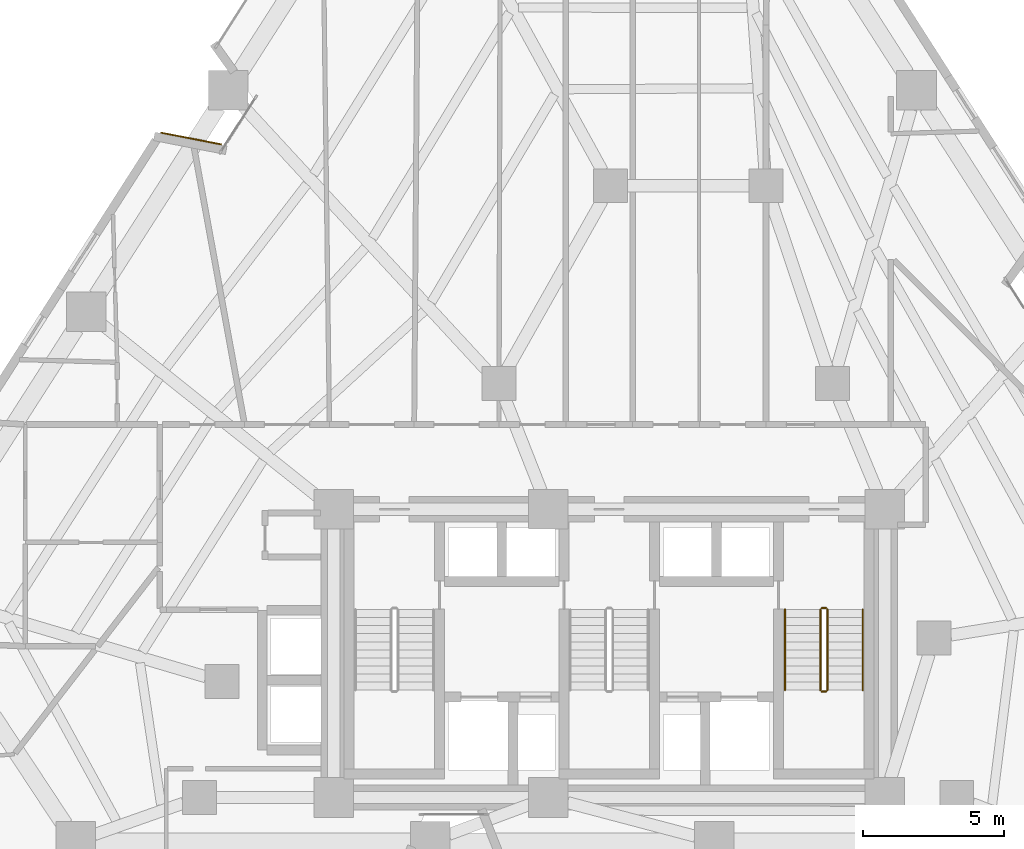
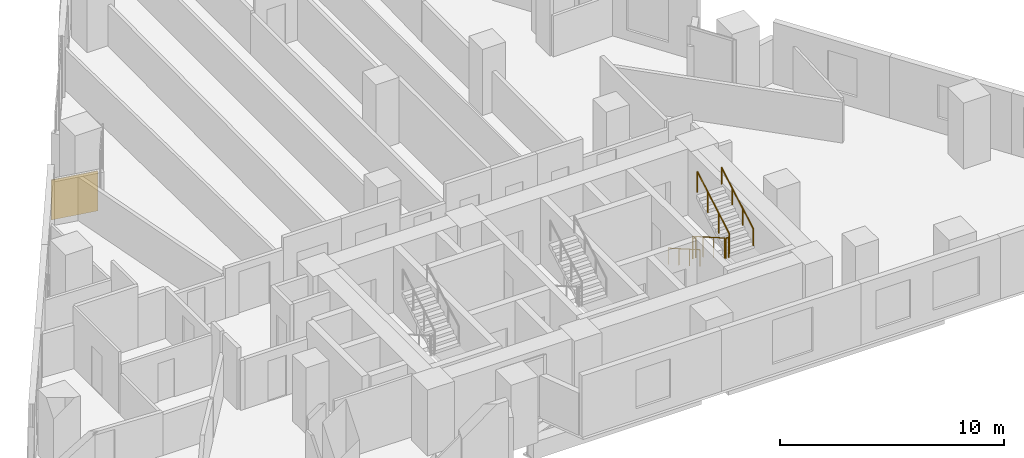
# One storey, part 13 of 14: 6 railings, 1 covering.
"""IFC4 building model written with IfcOpenShell, lengths in metres."""

from ifc_helpers import new_model, si_unit, direction, frame, origin, origin_2d, place, context, subcontext, project, spatial, rectangle, circle, extrude, material, layer, layer_set, type_object, element, save


model = new_model("IFC4")

# Units and contexts
model_context = context("Model", 3, precision=1e-05, world=origin(), true_north=direction((0.0, 1.0)))
body_context = subcontext(model_context, "Body", "Model", "MODEL_VIEW")
ifc_project = project(units=[si_unit("LENGTHUNIT", "METRE"), si_unit("AREAUNIT", "SQUARE_METRE"), si_unit("VOLUMEUNIT", "CUBIC_METRE"), si_unit("PLANEANGLEUNIT", "RADIAN"), si_unit("MASSUNIT", "GRAM", prefix="KILO")], contexts=[model_context])

# Site, building, storey
site_placement = place(None, origin())
site = spatial("IfcSite", under=ifc_project, at=site_placement, CompositionType="ELEMENT")
building_placement = place(site_placement, origin())
building = spatial("IfcBuilding", under=site, at=building_placement, Name="Almagre Mirador Tower", CompositionType="ELEMENT")
storey_placement = place(building_placement, frame((0.0, 0.0, 35.39990234375)))
storey = spatial("IfcBuildingStorey", under=building, at=storey_placement, Name="L07", CompositionType="ELEMENT", Elevation=35.39990234375)

# Covering
ifc_material_1 = material(Name="Almagre terracotta architectural cladding", Category="masonry")
ifc_layer = layer(ifc_material_1, 0.044921875)
ifc_layer_set = layer_set([ifc_layer], Name="Almagre terracotta architectural cladding")
covering_type = type_object("IfcCoveringType", Name="COV-CLAD-ALMAGRE", PredefinedType="CLADDING", material=ifc_layer_set)
covering_placement = place(storey_placement, frame((22.50634765625, 27.869384765625, 0.10009765625), z_axis=(0.0, 0.0, 1.0), x_axis=(0.981746878502, -0.190192183203, 0.0)))
element("IfcCovering", 1, at=covering_placement, inside=storey, type_object=covering_type, Name="L07 almagre terracotta pier cladding", PredefinedType="CLADDING", context=body_context, shape_type="SweptSolid", body=[
    extrude(rectangle(XDim=2.193115234375, YDim=0.044921875, at=origin_2d()), origin(), (0.0, 0.0, 1.0), 2.175048828125),
])

# Railings
ifc_material_2 = material(Name="Painted galvanized steel", Category="steel")
railing_type_1 = type_object("IfcRailingType", Name="RLG-GRD-1100", PredefinedType="GUARDRAIL", material=ifc_material_2)
railing_1_placement = place(storey_placement, frame((44.77490234375, 11.199951171875, 0.163818359375)))
element("IfcRailing", 2, at=railing_1_placement, inside=storey, type_object=railing_type_1, Name="L07 ST-3 stair guard 1", PredefinedType="GUARDRAIL", context=body_context, shape_type="SweptSolid", body=[
    extrude(circle(Radius=0.02392578125, at=origin_2d()), frame((0.0, 0.0, 1.09619140625), z_axis=(0.0, -0.867226363773, 0.497914082927), x_axis=(1.0, 0.0, 0.0)), (0.0, 0.0, 1.0), 3.2861328125),
    extrude(circle(Radius=0.02099609375, at=origin_2d()), origin(), (0.0, 0.0, 1.0), 1.072021484375),
    extrude(circle(Radius=0.02099609375, at=origin_2d()), frame((0.0, -0.949951171875, 0.54541015625)), (0.0, 0.0, 1.0), 1.072021484375),
    extrude(circle(Radius=0.02099609375, at=origin_2d()), frame((0.0, -1.89990234375, 1.0908203125)), (0.0, 0.0, 1.0), 1.072021484375),
    extrude(circle(Radius=0.02099609375, at=origin_2d()), frame((0.0, -2.849853515625, 1.63623046875)), (0.0, 0.0, 1.0), 1.072021484375),
])
railing_2_placement = place(storey_placement, frame((44.824951171875, 8.300048828125, 1.800048828125)))
element("IfcRailing", 3, at=railing_2_placement, inside=storey, type_object=railing_type_1, Name="L07 ST-3 stair guard 2", PredefinedType="GUARDRAIL", context=body_context, shape_type="SweptSolid", body=[
    extrude(circle(Radius=0.02392578125, at=origin_2d()), frame((0.0, 0.0, 1.09619140625), z_axis=(1.0, 0.0, 0.0), x_axis=(0.0, 1.0, 0.0)), (0.0, 0.0, 1.0), 0.150146484375),
    extrude(circle(Radius=0.02099609375, at=origin_2d()), origin(), (0.0, 0.0, 1.0), 1.072021484375),
    extrude(circle(Radius=0.02099609375, at=origin_2d()), frame((0.150146484375, 0.0, 0.0)), (0.0, 0.0, 1.0), 1.072021484375),
])
railing_3_placement = place(storey_placement, frame((45.02490234375, 8.35009765625, 1.963623046875)))
element("IfcRailing", 4, at=railing_3_placement, inside=storey, type_object=railing_type_1, Name="L07 ST-3 stair guard 3", PredefinedType="GUARDRAIL", context=body_context, shape_type="SweptSolid", body=[
    extrude(circle(Radius=0.02392578125, at=origin_2d()), frame((0.0, 0.0, 1.09619140625), z_axis=(0.0, 0.867194282975, 0.497969954491), x_axis=(-1.0, 0.0, 0.0)), (0.0, 0.0, 1.0), 3.286376953125),
    extrude(circle(Radius=0.02099609375, at=origin_2d()), origin(), (0.0, 0.0, 1.0), 1.072021484375),
    extrude(circle(Radius=0.02099609375, at=origin_2d()), frame((0.0, 0.949951171875, 0.54541015625)), (0.0, 0.0, 1.0), 1.072021484375),
    extrude(circle(Radius=0.02099609375, at=origin_2d()), frame((0.0, 1.89990234375, 1.091064453125)), (0.0, 0.0, 1.0), 1.072021484375),
    extrude(circle(Radius=0.02099609375, at=origin_2d()), frame((0.0, 2.849853515625, 1.636474609375)), (0.0, 0.0, 1.0), 1.072021484375),
])
railing_4_placement = place(storey_placement, frame((44.824951171875, 11.25, 0.0)))
element("IfcRailing", 5, at=railing_4_placement, inside=storey, type_object=railing_type_1, Name="L07 ST-3 stair guard 4", PredefinedType="GUARDRAIL", context=body_context, shape_type="SweptSolid", body=[
    extrude(circle(Radius=0.02392578125, at=origin_2d()), frame((0.0, 0.0, 1.09619140625), z_axis=(1.0, 0.0, 0.0), x_axis=(0.0, 1.0, 0.0)), (0.0, 0.0, 1.0), 0.150146484375),
    extrude(circle(Radius=0.02099609375, at=origin_2d()), origin(), (0.0, 0.0, 1.0), 1.072021484375),
    extrude(circle(Radius=0.02099609375, at=origin_2d()), frame((0.150146484375, 0.0, 0.0)), (0.0, 0.0, 1.0), 1.072021484375),
])
ifc_material_3 = material(Name="Brushed stainless steel", Category="steel")
railing_type_2 = type_object("IfcRailingType", Name="RLG-HND-915", PredefinedType="HANDRAIL", material=ifc_material_3)
railing_5_placement = place(storey_placement, frame((43.52490234375, 11.199951171875, 0.163818359375)))
element("IfcRailing", 6, at=railing_5_placement, inside=storey, type_object=railing_type_2, Name="L07 ST-3 stair handrail 1", PredefinedType="HANDRAIL", context=body_context, shape_type="SweptSolid", body=[
    extrude(circle(Radius=0.02392578125, at=origin_2d()), frame((0.0, 0.0, 0.89111328125), z_axis=(0.0, -0.867226363773, 0.497914082927), x_axis=(1.0, 0.0, 0.0)), (0.0, 0.0, 1.0), 3.2861328125),
    extrude(circle(Radius=0.02099609375, at=origin_2d()), origin(), (0.0, 0.0, 1.0), 0.866943359375),
    extrude(circle(Radius=0.02099609375, at=origin_2d()), frame((0.0, -0.949951171875, 0.54541015625)), (0.0, 0.0, 1.0), 0.866943359375),
    extrude(circle(Radius=0.02099609375, at=origin_2d()), frame((0.0, -1.89990234375, 1.0908203125)), (0.0, 0.0, 1.0), 0.866943359375),
    extrude(circle(Radius=0.02099609375, at=origin_2d()), frame((0.0, -2.849853515625, 1.63623046875)), (0.0, 0.0, 1.0), 0.866943359375),
])
railing_6_placement = place(storey_placement, frame((46.27490234375, 8.35009765625, 1.963623046875)))
element("IfcRailing", 7, at=railing_6_placement, inside=storey, type_object=railing_type_2, Name="L07 ST-3 stair handrail 2", PredefinedType="HANDRAIL", context=body_context, shape_type="SweptSolid", body=[
    extrude(circle(Radius=0.02392578125, at=origin_2d()), frame((0.0, 0.0, 0.89111328125), z_axis=(0.0, 0.867194282975, 0.497969954491), x_axis=(-1.0, 0.0, 0.0)), (0.0, 0.0, 1.0), 3.286376953125),
    extrude(circle(Radius=0.02099609375, at=origin_2d()), origin(), (0.0, 0.0, 1.0), 0.866943359375),
    extrude(circle(Radius=0.02099609375, at=origin_2d()), frame((0.0, 0.949951171875, 0.54541015625)), (0.0, 0.0, 1.0), 0.866943359375),
    extrude(circle(Radius=0.02099609375, at=origin_2d()), frame((0.0, 1.89990234375, 1.091064453125)), (0.0, 0.0, 1.0), 0.866943359375),
    extrude(circle(Radius=0.02099609375, at=origin_2d()), frame((0.0, 2.849853515625, 1.636474609375)), (0.0, 0.0, 1.0), 0.866943359375),
])

save(model, "model.ifc")
